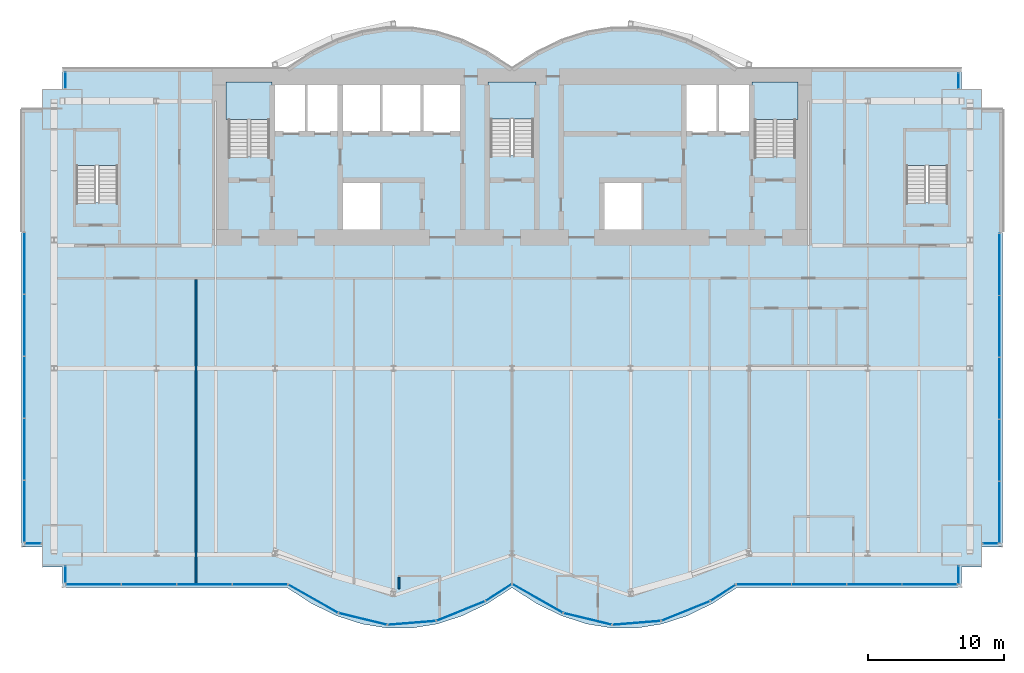
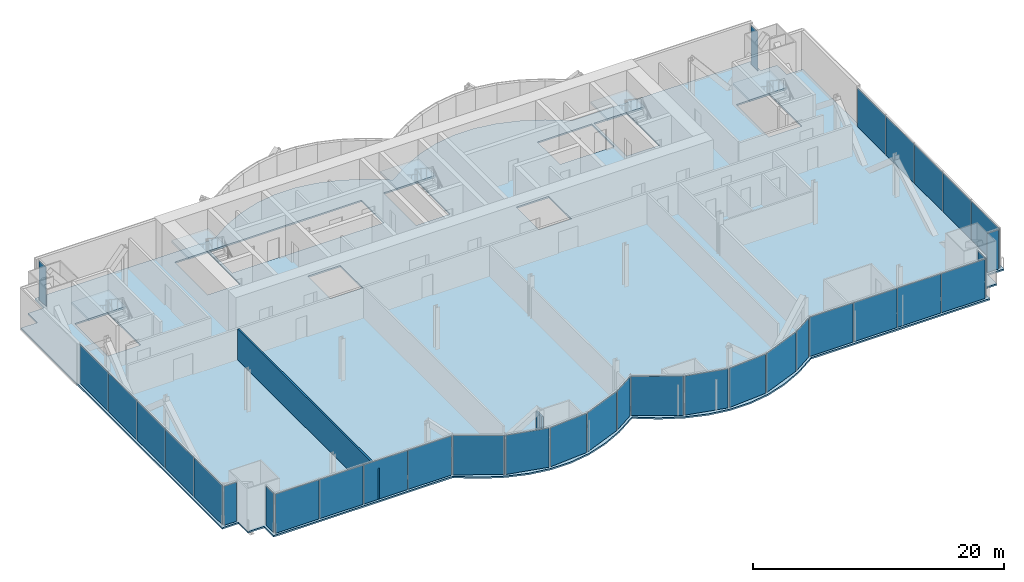
# One storey, part 14 of 21: 34 plates, 6 slabs, 2 walls, 17 elements without a shape of their own.
"""IFC4 building model written with IfcOpenShell, lengths in metres."""

from ifc_helpers import new_model, si_unit, direction, frame, frame_2d, origin, origin_2d, place, context, subcontext, project, spatial, polyline, rectangle, outline, extrude, material, layer, layer_set, type_object, element, aggregate, save


model = new_model("IFC4")

# Units and contexts
model_context = context("Model", 3, precision=1e-05, world=origin(), true_north=direction((0.0, 1.0)))
body_context = subcontext(model_context, "Body", "Model", "MODEL_VIEW")
ifc_project = project(units=[si_unit("LENGTHUNIT", "METRE"), si_unit("AREAUNIT", "SQUARE_METRE"), si_unit("VOLUMEUNIT", "CUBIC_METRE"), si_unit("PLANEANGLEUNIT", "RADIAN"), si_unit("MASSUNIT", "GRAM", prefix="KILO")], contexts=[model_context])

# Site, building, storey
site_placement = place(None, origin())
site = spatial("IfcSite", under=ifc_project, at=site_placement, CompositionType="ELEMENT")
building_placement = place(site_placement, origin())
building = spatial("IfcBuilding", under=site, at=building_placement, Name="Bicima Exchange Tower", CompositionType="ELEMENT")
storey_placement = place(building_placement, frame((0.0, 0.0, 106.300048828125)))
storey = spatial("IfcBuildingStorey", under=building, at=storey_placement, Name="L22", CompositionType="ELEMENT", Elevation=106.300048828125)

# Slab
ifc_material_1 = material(Name="Concrete C40/50", Category="concrete")
ifc_layer_1 = layer(ifc_material_1, 0.14990234375)
ifc_layer_set_1 = layer_set([ifc_layer_1], Name="Concrete C40/50")
slab_type_1 = type_object("IfcSlabType", Name="Composite floor slab 150", PredefinedType="FLOOR", material=ifc_layer_set_1)
slab_1_placement = place(storey_placement, frame((0.0, 0.0, -0.150146484375)))
element("IfcSlab", 1, at=slab_1_placement, inside=storey, type_object=slab_type_1, Name="Floor slab", PredefinedType="FLOOR", context=body_context, shape_type="SweptSolid", body=[
    extrude(outline(polyline([(-36.0, -35.095947265625), (-36.0, -3.0), (-34.5, -3.0), (-34.5, -1.5), (-33.0, -1.5), (-33.0, 0.0), (-16.5, 0.0), (-14.666748046875, 1.185302734375), (-12.833251953125, 2.07421875), (-11.0, 2.666748046875), (-9.166748046875, 2.962890625), (-7.333251953125, 2.962890625), (-5.5, 2.666748046875), (-3.666748046875, 2.07421875), (-1.833251953125, 1.185302734375), (0.0, 0.0), (1.833251953125, 1.185302734375), (3.666748046875, 2.07421875), (5.5, 2.666748046875), (7.333251953125, 2.962890625), (9.166748046875, 2.962890625), (11.0, 2.666748046875), (12.833251953125, 2.07421875), (14.666748046875, 1.185302734375), (16.5, 0.0), (33.0, 0.0), (33.0, -1.5), (34.5, -1.5), (34.5, -3.0), (36.0, -3.0), (36.0, -35.095947265625), (34.5, -35.095947265625), (34.5, -36.595947265625), (33.0, -36.595947265625), (33.0, -38.095947265625), (16.5, -38.095947265625), (14.666748046875, -39.28125), (12.833251953125, -40.170166015625), (11.0, -40.7626953125), (9.166748046875, -41.05908203125), (7.333251953125, -41.05908203125), (5.5, -40.7626953125), (3.666748046875, -40.170166015625), (1.833251953125, -39.28125), (0.0, -38.095947265625), (-1.833251953125, -39.28125), (-3.666748046875, -40.170166015625), (-5.5, -40.7626953125), (-7.333251953125, -41.05908203125), (-9.166748046875, -41.05908203125), (-11.0, -40.7626953125), (-12.833251953125, -40.170166015625), (-14.666748046875, -39.28125), (-16.5, -38.095947265625), (-33.0, -38.095947265625), (-33.0, -36.595947265625), (-34.5, -36.595947265625), (-34.5, -35.095947265625), (-36.0, -35.095947265625)]), holes=[polyline([(-9.60009765625, -11.800048828125), (-9.60009765625, -8.199951171875), (-12.60009765625, -8.199951171875), (-12.60009765625, -11.800048828125), (-9.60009765625, -11.800048828125)]), polyline([(-31.97509765625, -9.824951171875), (-28.925048828125, -9.824951171875), (-28.925048828125, -4.625), (-31.97509765625, -4.625), (-31.97509765625, -9.824951171875)]), polyline([(-20.800048828125, -6.449951171875), (-17.800048828125, -6.449951171875), (-17.800048828125, -1.199951171875), (-20.800048828125, -1.199951171875), (-20.800048828125, -6.449951171875)]), polyline([(-9.60009765625, -1.199951171875), (-12.60009765625, -1.199951171875), (-15.10009765625, -1.199951171875), (-17.60009765625, -1.199951171875), (-17.60009765625, -4.800048828125), (-15.10009765625, -4.800048828125), (-12.60009765625, -4.800048828125), (-9.60009765625, -4.800048828125), (-6.60009765625, -4.800048828125), (-3.60009765625, -4.800048828125), (-3.60009765625, -1.199951171875), (-6.60009765625, -1.199951171875), (-9.60009765625, -1.199951171875)]), polyline([(9.60009765625, -11.800048828125), (9.60009765625, -8.199951171875), (6.60009765625, -8.199951171875), (6.60009765625, -11.800048828125), (9.60009765625, -11.800048828125)]), polyline([(28.925048828125, -9.824951171875), (31.97509765625, -9.824951171875), (31.97509765625, -4.625), (28.925048828125, -4.625), (28.925048828125, -9.824951171875)]), polyline([(17.800048828125, -6.449951171875), (20.800048828125, -6.449951171875), (20.800048828125, -1.199951171875), (17.800048828125, -1.199951171875), (17.800048828125, -6.449951171875)]), polyline([(-1.574951171875, -6.39990234375), (1.574951171875, -6.39990234375), (1.574951171875, -1.199951171875), (-1.574951171875, -1.199951171875), (-1.574951171875, -6.39990234375)]), polyline([(17.60009765625, -4.800048828125), (17.60009765625, -1.199951171875), (15.10009765625, -1.199951171875), (12.60009765625, -1.199951171875), (12.60009765625, -4.800048828125), (15.10009765625, -4.800048828125), (17.60009765625, -4.800048828125)])]), origin(), (0.0, 0.0, 1.0), 0.150146484375),
])

# Curtain wall, plates
ifc_material_2 = material(Name="Anodised bronze aluminium", Category="aluminium")
curtain_wall_type_1 = type_object("IfcCurtainWallType", Name="End face glass wall", PredefinedType="NOTDEFINED", material=ifc_material_2)
curtain_wall_1_placement = place(storey_placement, origin())
curtain_wall_1 = element("IfcCurtainWall", 2, at=curtain_wall_1_placement, inside=storey, type_object=curtain_wall_type_1, Name="End face glass wall L22 run 2", PredefinedType="NOTDEFINED")
ifc_material_3 = material(Name="Bronze tinted glass", Category="glass")
ifc_layer_2 = layer(ifc_material_3, 0.031982421875)
ifc_layer_set_2 = layer_set([ifc_layer_2], Name="Bronze tinted glass")
plate_type_1 = type_object("IfcPlateType", Name="End face glass wall glass panel 32", PredefinedType="CURTAIN_PANEL", material=ifc_layer_set_2)
plate_1_placement = place(storey_placement, frame((-35.77001953125, -27.938232421875, 0.0), z_axis=(0.0, 0.0, 1.0), x_axis=(0.0, -1.0, 0.0)))
plate_1 = element("IfcPlate", 3, at=plate_1_placement, type_object=plate_type_1, Name="End face glass wall panel 4.1", PredefinedType="CURTAIN_PANEL", context=body_context, shape_type="SweptSolid", body=[
    extrude(rectangle(XDim=4.485107421875, YDim=0.031982421875, at=origin_2d()), origin(), (0.0, 0.0, 1.0), 3.81005859375),
])
plate_2_placement = place(storey_placement, frame((-35.77001953125, -32.4833984375, 0.0), z_axis=(0.0, 0.0, 1.0), x_axis=(0.0, -1.0, 0.0)))
plate_2 = element("IfcPlate", 4, at=plate_2_placement, type_object=plate_type_1, Name="End face glass wall panel 5.1", PredefinedType="CURTAIN_PANEL", context=body_context, shape_type="SweptSolid", body=[
    extrude(rectangle(XDim=4.485107421875, YDim=0.031982421875, at=origin_2d()), origin(), (0.0, 0.0, 1.0), 3.81005859375),
])

curtain_wall_2_placement = place(storey_placement, origin())
curtain_wall_2 = element("IfcCurtainWall", 5, at=curtain_wall_2_placement, inside=storey, type_object=curtain_wall_type_1, Name="End face glass wall L22 run 19", PredefinedType="NOTDEFINED")
plate_3_placement = place(storey_placement, frame((35.77001953125, -32.5634765625, 0.0), z_axis=(0.0, 0.0, 1.0), x_axis=(0.0, 1.0, 0.0)))
plate_3 = element("IfcPlate", 6, at=plate_3_placement, type_object=plate_type_1, Name="End face glass wall panel 1.1", PredefinedType="CURTAIN_PANEL", context=body_context, shape_type="SweptSolid", body=[
    extrude(rectangle(XDim=4.485107421875, YDim=0.031982421875, at=origin_2d()), origin(), (0.0, 0.0, 1.0), 3.81005859375),
])
plate_4_placement = place(storey_placement, frame((35.77001953125, -28.018310546875, 0.0), z_axis=(0.0, 0.0, 1.0), x_axis=(0.0, 1.0, 0.0)))
plate_4 = element("IfcPlate", 7, at=plate_4_placement, type_object=plate_type_1, Name="End face glass wall panel 2.1", PredefinedType="CURTAIN_PANEL", context=body_context, shape_type="SweptSolid", body=[
    extrude(rectangle(XDim=4.485107421875, YDim=0.031982421875, at=origin_2d()), origin(), (0.0, 0.0, 1.0), 3.81005859375),
])

# Plate
ifc_material_4 = material(Name="Bronze anodised aluminium", Category="aluminium")
ifc_layer_3 = layer(ifc_material_4, 0.031982421875)
ifc_layer_set_3 = layer_set([ifc_layer_3], Name="Bronze anodised aluminium")
plate_type_2 = type_object("IfcPlateType", Name="End face glass wall spandrel panel 32", PredefinedType="CURTAIN_PANEL", material=ifc_layer_set_3)
plate_5_placement = place(storey_placement, frame((-35.77001953125, -14.302490234375, 0.0), z_axis=(0.0, 0.0, 1.0), x_axis=(0.0, -1.0, 0.0)))
plate_5 = element("IfcPlate", 8, at=plate_5_placement, type_object=plate_type_2, Name="End face spandrel wall panel 1.1", PredefinedType="CURTAIN_PANEL", context=body_context, shape_type="SweptSolid", body=[
    extrude(rectangle(XDim=4.485107421875, YDim=0.031982421875, at=origin_2d()), origin(), (0.0, 0.0, 1.0), 3.81005859375),
])

plate_6_placement = place(storey_placement, frame((-35.77001953125, -18.847900390625, 0.0), z_axis=(0.0, 0.0, 1.0), x_axis=(0.0, -1.0, 0.0)))
plate_6 = element("IfcPlate", 9, at=plate_6_placement, type_object=plate_type_2, Name="End face spandrel wall panel 2.1", PredefinedType="CURTAIN_PANEL", context=body_context, shape_type="SweptSolid", body=[
    extrude(rectangle(XDim=4.485107421875, YDim=0.031982421875, at=origin_2d()), origin(), (0.0, 0.0, 1.0), 3.81005859375),
])

plate_7_placement = place(storey_placement, frame((-35.77001953125, -23.39306640625, 0.0), z_axis=(0.0, 0.0, 1.0), x_axis=(0.0, -1.0, 0.0)))
plate_7 = element("IfcPlate", 10, at=plate_7_placement, type_object=plate_type_2, Name="End face spandrel wall panel 3.1", PredefinedType="CURTAIN_PANEL", context=body_context, shape_type="SweptSolid", body=[
    extrude(rectangle(XDim=4.485107421875, YDim=0.031982421875, at=origin_2d()), origin(), (0.0, 0.0, 1.0), 3.81005859375),
])

aggregate(curtain_wall_1, [plate_5, plate_6, plate_7, plate_1, plate_2])

plate_8_placement = place(storey_placement, frame((35.77001953125, -23.472900390625, 0.0), z_axis=(0.0, 0.0, 1.0), x_axis=(0.0, 1.0, 0.0)))
plate_8 = element("IfcPlate", 11, at=plate_8_placement, type_object=plate_type_2, Name="End face spandrel wall panel 3.1", PredefinedType="CURTAIN_PANEL", context=body_context, shape_type="SweptSolid", body=[
    extrude(rectangle(XDim=4.485107421875, YDim=0.031982421875, at=origin_2d()), origin(), (0.0, 0.0, 1.0), 3.81005859375),
])

plate_9_placement = place(storey_placement, frame((35.77001953125, -18.927734375, 0.0), z_axis=(0.0, 0.0, 1.0), x_axis=(0.0, 1.0, 0.0)))
plate_9 = element("IfcPlate", 12, at=plate_9_placement, type_object=plate_type_2, Name="End face spandrel wall panel 4.1", PredefinedType="CURTAIN_PANEL", context=body_context, shape_type="SweptSolid", body=[
    extrude(rectangle(XDim=4.485107421875, YDim=0.031982421875, at=origin_2d()), origin(), (0.0, 0.0, 1.0), 3.81005859375),
])

plate_10_placement = place(storey_placement, frame((35.77001953125, -14.382568359375, 0.0), z_axis=(0.0, 0.0, 1.0), x_axis=(0.0, 1.0, 0.0)))
plate_10 = element("IfcPlate", 13, at=plate_10_placement, type_object=plate_type_2, Name="End face spandrel wall panel 5.1", PredefinedType="CURTAIN_PANEL", context=body_context, shape_type="SweptSolid", body=[
    extrude(rectangle(XDim=4.485107421875, YDim=0.031982421875, at=origin_2d()), origin(), (0.0, 0.0, 1.0), 3.81005859375),
])

aggregate(curtain_wall_2, [plate_3, plate_4, plate_8, plate_9, plate_10])

# Curtain wall, plate
curtain_wall_type_2 = type_object("IfcCurtainWallType", Name="Front glass wall", PredefinedType="NOTDEFINED", material=ifc_material_2)
curtain_wall_3_placement = place(storey_placement, origin())
curtain_wall_3 = element("IfcCurtainWall", 14, at=curtain_wall_3_placement, inside=storey, type_object=curtain_wall_type_2, Name="Front glass wall L22 run 1", PredefinedType="NOTDEFINED")
ifc_layer_4 = layer(ifc_material_3, 0.031982421875)
ifc_layer_set_4 = layer_set([ifc_layer_4], Name="Bronze tinted glass")
plate_type_3 = type_object("IfcPlateType", Name="Front glass wall glass panel 32", PredefinedType="CURTAIN_PANEL", material=ifc_layer_set_4)
plate_11_placement = place(storey_placement, frame((-32.77001953125, -0.864990234375, 0.0), z_axis=(0.0, 0.0, 1.0), x_axis=(0.0, -1.0, 0.0)))
plate_11 = element("IfcPlate", 15, at=plate_11_placement, type_object=plate_type_3, Name="Front glass wall panel 1.1", PredefinedType="CURTAIN_PANEL", context=body_context, shape_type="SweptSolid", body=[
    extrude(rectangle(XDim=1.14990234375, YDim=0.031982421875, at=origin_2d()), origin(), (0.0, 0.0, 1.0), 3.81005859375),
])
aggregate(curtain_wall_3, [plate_11])

curtain_wall_4_placement = place(storey_placement, origin())
curtain_wall_4 = element("IfcCurtainWall", 16, at=curtain_wall_4_placement, inside=storey, type_object=curtain_wall_type_2, Name="Front glass wall L22 run 3", PredefinedType="NOTDEFINED")
plate_12_placement = place(storey_placement, frame((-35.135009765625, -34.865966796875, 0.0), z_axis=(0.0, 0.0, 1.0), x_axis=(1.0, 0.0, 0.0)))
plate_12 = element("IfcPlate", 17, at=plate_12_placement, type_object=plate_type_3, Name="Front glass wall panel 1.1", PredefinedType="CURTAIN_PANEL", context=body_context, shape_type="SweptSolid", body=[
    extrude(rectangle(XDim=1.14990234375, YDim=0.031982421875, at=origin_2d()), origin(), (0.0, 0.0, 1.0), 3.81005859375),
])
aggregate(curtain_wall_4, [plate_12])

curtain_wall_5_placement = place(storey_placement, origin())
curtain_wall_5 = element("IfcCurtainWall", 18, at=curtain_wall_5_placement, inside=storey, type_object=curtain_wall_type_2, Name="Front glass wall L22 run 4", PredefinedType="NOTDEFINED")
plate_13_placement = place(storey_placement, frame((-32.77001953125, -37.1298828125, 0.0), z_axis=(0.0, 0.0, 1.0), x_axis=(0.0, -1.0, 0.0)))
plate_13 = element("IfcPlate", 19, at=plate_13_placement, type_object=plate_type_3, Name="Front glass wall panel 1.1", PredefinedType="CURTAIN_PANEL", context=body_context, shape_type="SweptSolid", body=[
    extrude(rectangle(XDim=1.19189453125, YDim=0.031982421875, at=origin_2d()), origin(), (0.0, 0.0, 1.0), 3.81005859375),
])
aggregate(curtain_wall_5, [plate_13])

# Curtain wall, plates
curtain_wall_6_placement = place(storey_placement, origin())
curtain_wall_6 = element("IfcCurtainWall", 20, at=curtain_wall_6_placement, inside=storey, type_object=curtain_wall_type_2, Name="Front glass wall L22 run 5", PredefinedType="NOTDEFINED")
plate_14_placement = place(storey_placement, frame((-30.705322265625, -37.865966796875, 0.0), z_axis=(0.0, 0.0, 1.0), x_axis=(1.0, 0.0, 0.0)))
plate_14 = element("IfcPlate", 21, at=plate_14_placement, type_object=plate_type_3, Name="Front glass wall panel 1.1", PredefinedType="CURTAIN_PANEL", context=body_context, shape_type="SweptSolid", body=[
    extrude(rectangle(XDim=4.009521484375, YDim=0.031982421875, at=origin_2d()), origin(), (0.0, 0.0, 1.0), 3.81005859375),
])
plate_15_placement = place(storey_placement, frame((-26.6357421875, -37.865966796875, 0.0), z_axis=(0.0, 0.0, 1.0), x_axis=(1.0, 0.0, 0.0)))
plate_15 = element("IfcPlate", 22, at=plate_15_placement, type_object=plate_type_3, Name="Front glass wall panel 2.1", PredefinedType="CURTAIN_PANEL", context=body_context, shape_type="SweptSolid", body=[
    extrude(rectangle(XDim=4.009521484375, YDim=0.031982421875, at=origin_2d()), origin(), (0.0, 0.0, 1.0), 3.81005859375),
])

curtain_wall_7_placement = place(storey_placement, origin())
curtain_wall_7 = element("IfcCurtainWall", 23, at=curtain_wall_7_placement, inside=storey, type_object=curtain_wall_type_2, Name="Front glass wall L22 run 6", PredefinedType="NOTDEFINED")
plate_16_placement = place(storey_placement, frame((-7.35107421875, -40.68359375, 0.0), z_axis=(0.0, 0.0, 1.0), x_axis=(0.99674744821, 0.080588612633, 0.0)))
plate_16 = element("IfcPlate", 24, at=plate_16_placement, type_object=plate_type_3, Name="Front glass wall panel 1.1", PredefinedType="CURTAIN_PANEL", context=body_context, shape_type="SweptSolid", body=[
    extrude(rectangle(XDim=3.486083984375, YDim=0.031982421875, at=origin_2d()), origin(), (0.0, 0.0, 1.0), 3.81005859375),
])
plate_17_placement = place(storey_placement, frame((-3.750244140625, -39.809326171875, 0.0), z_axis=(0.0, 0.0, 1.0), x_axis=(0.92714396679, 0.374705304, 0.0)))
plate_17 = element("IfcPlate", 25, at=plate_17_placement, type_object=plate_type_3, Name="Front glass wall panel 1.1", PredefinedType="CURTAIN_PANEL", context=body_context, shape_type="SweptSolid", body=[
    extrude(rectangle(XDim=3.771240234375, YDim=0.031982421875, at=origin_2d()), origin(), (0.0, 0.0, 1.0), 3.81005859375),
])
plate_18_placement = place(storey_placement, frame((-0.97314453125, -38.451171875, 0.0), z_axis=(0.0, 0.0, 1.0), x_axis=(0.839798994301, 0.542897457326, 0.0)))
plate_18 = element("IfcPlate", 26, at=plate_18_placement, type_object=plate_type_3, Name="Front glass wall panel 1.1", PredefinedType="CURTAIN_PANEL", context=body_context, shape_type="SweptSolid", body=[
    extrude(rectangle(XDim=2.197509765625, YDim=0.031982421875, at=origin_2d()), origin(), (0.0, 0.0, 1.0), 3.81005859375),
])

curtain_wall_8_placement = place(storey_placement, origin())
curtain_wall_8 = element("IfcCurtainWall", 27, at=curtain_wall_8_placement, inside=storey, type_object=curtain_wall_type_2, Name="Front glass wall L22 run 11", PredefinedType="NOTDEFINED")
plate_19_placement = place(storey_placement, frame((1.876220703125, -38.88916015625, 0.0), z_axis=(0.0, 0.0, 1.0), x_axis=(0.869274147378, -0.494330311331, 0.0)))
plate_19 = element("IfcPlate", 28, at=plate_19_placement, type_object=plate_type_3, Name="Front glass wall panel 1.1", PredefinedType="CURTAIN_PANEL", context=body_context, shape_type="SweptSolid", body=[
    extrude(rectangle(XDim=4.197021484375, YDim=0.031982421875, at=origin_2d()), origin(), (0.0, 0.0, 1.0), 3.81005859375),
])
plate_20_placement = place(storey_placement, frame((5.55224609375, -40.392578125, 0.0), z_axis=(0.0, 0.0, 1.0), x_axis=(0.971830343553, -0.235681529503, 0.0)))
plate_20 = element("IfcPlate", 29, at=plate_20_placement, type_object=plate_type_3, Name="Front glass wall panel 1.1", PredefinedType="CURTAIN_PANEL", context=body_context, shape_type="SweptSolid", body=[
    extrude(rectangle(XDim=3.583251953125, YDim=0.031982421875, at=origin_2d()), origin(), (0.0, 0.0, 1.0), 3.81005859375),
])
plate_21_placement = place(storey_placement, frame((9.14892578125, -40.68359375, 0.0), z_axis=(0.0, 0.0, 1.0), x_axis=(0.99674744821, 0.080588612633, 0.0)))
plate_21 = element("IfcPlate", 30, at=plate_21_placement, type_object=plate_type_3, Name="Front glass wall panel 1.1", PredefinedType="CURTAIN_PANEL", context=body_context, shape_type="SweptSolid", body=[
    extrude(rectangle(XDim=3.486083984375, YDim=0.031982421875, at=origin_2d()), origin(), (0.0, 0.0, 1.0), 3.81005859375),
])
plate_22_placement = place(storey_placement, frame((15.492919921875, -38.47314453125, 0.0), z_axis=(0.0, 0.0, 1.0), x_axis=(0.839791413941, 0.542909183079, 0.0)))
plate_22 = element("IfcPlate", 31, at=plate_22_placement, type_object=plate_type_3, Name="Front glass wall panel 1.1", PredefinedType="CURTAIN_PANEL", context=body_context, shape_type="SweptSolid", body=[
    extrude(rectangle(XDim=2.11669921875, YDim=0.031982421875, at=origin_2d()), origin(), (0.0, 0.0, 1.0), 3.81005859375),
])

curtain_wall_9_placement = place(storey_placement, origin())
curtain_wall_9 = element("IfcCurtainWall", 32, at=curtain_wall_9_placement, inside=storey, type_object=curtain_wall_type_2, Name="Front glass wall L22 run 16", PredefinedType="NOTDEFINED")
plate_23_placement = place(storey_placement, frame((26.585693359375, -37.865966796875, 0.0), z_axis=(0.0, 0.0, 1.0), x_axis=(1.0, 0.0, 0.0)))
plate_23 = element("IfcPlate", 33, at=plate_23_placement, type_object=plate_type_3, Name="Front glass wall panel 3.1", PredefinedType="CURTAIN_PANEL", context=body_context, shape_type="SweptSolid", body=[
    extrude(rectangle(XDim=3.989501953125, YDim=0.031982421875, at=origin_2d()), origin(), (0.0, 0.0, 1.0), 3.81005859375),
])
plate_24_placement = place(storey_placement, frame((30.63525390625, -37.865966796875, 0.0), z_axis=(0.0, 0.0, 1.0), x_axis=(1.0, 0.0, 0.0)))
plate_24 = element("IfcPlate", 34, at=plate_24_placement, type_object=plate_type_3, Name="Front glass wall panel 4.1", PredefinedType="CURTAIN_PANEL", context=body_context, shape_type="SweptSolid", body=[
    extrude(rectangle(XDim=3.989501953125, YDim=0.031982421875, at=origin_2d()), origin(), (0.0, 0.0, 1.0), 3.81005859375),
])

# Curtain wall, plate
curtain_wall_10_placement = place(storey_placement, origin())
curtain_wall_10 = element("IfcCurtainWall", 35, at=curtain_wall_10_placement, inside=storey, type_object=curtain_wall_type_2, Name="Front glass wall L22 run 17", PredefinedType="NOTDEFINED")
plate_25_placement = place(storey_placement, frame((32.77001953125, -37.169921875, 0.0), z_axis=(0.0, 0.0, 1.0), x_axis=(0.0, 1.0, 0.0)))
plate_25 = element("IfcPlate", 36, at=plate_25_placement, type_object=plate_type_3, Name="Front glass wall panel 1.1", PredefinedType="CURTAIN_PANEL", context=body_context, shape_type="SweptSolid", body=[
    extrude(rectangle(XDim=1.27197265625, YDim=0.031982421875, at=origin_2d()), origin(), (0.0, 0.0, 1.0), 3.81005859375),
])
aggregate(curtain_wall_10, [plate_25])

curtain_wall_11_placement = place(storey_placement, origin())
curtain_wall_11 = element("IfcCurtainWall", 37, at=curtain_wall_11_placement, inside=storey, type_object=curtain_wall_type_2, Name="Front glass wall L22 run 18", PredefinedType="NOTDEFINED")
plate_26_placement = place(storey_placement, frame((35.094970703125, -34.865966796875, 0.0), z_axis=(0.0, 0.0, 1.0), x_axis=(1.0, 0.0, 0.0)))
plate_26 = element("IfcPlate", 38, at=plate_26_placement, type_object=plate_type_3, Name="Front glass wall panel 1.1", PredefinedType="CURTAIN_PANEL", context=body_context, shape_type="SweptSolid", body=[
    extrude(rectangle(XDim=1.070068359375, YDim=0.031982421875, at=origin_2d()), origin(), (0.0, 0.0, 1.0), 3.81005859375),
])
aggregate(curtain_wall_11, [plate_26])

curtain_wall_12_placement = place(storey_placement, origin())
curtain_wall_12 = element("IfcCurtainWall", 39, at=curtain_wall_12_placement, inside=storey, type_object=curtain_wall_type_2, Name="Front glass wall L22 run 20", PredefinedType="NOTDEFINED")
plate_27_placement = place(storey_placement, frame((32.77001953125, -0.905029296875, 0.0), z_axis=(0.0, 0.0, 1.0), x_axis=(0.0, 1.0, 0.0)))
plate_27 = element("IfcPlate", 40, at=plate_27_placement, type_object=plate_type_3, Name="Front glass wall panel 1.1", PredefinedType="CURTAIN_PANEL", context=body_context, shape_type="SweptSolid", body=[
    extrude(rectangle(XDim=1.070068359375, YDim=0.031982421875, at=origin_2d()), origin(), (0.0, 0.0, 1.0), 3.81005859375),
])
aggregate(curtain_wall_12, [plate_27])

# Plate
ifc_layer_5 = layer(ifc_material_4, 0.031982421875)
ifc_layer_set_5 = layer_set([ifc_layer_5], Name="Bronze anodised aluminium")
plate_type_4 = type_object("IfcPlateType", Name="Front glass wall spandrel panel 32", PredefinedType="CURTAIN_PANEL", material=ifc_layer_set_5)
plate_28_placement = place(storey_placement, frame((-22.56640625, -37.865966796875, 0.0), z_axis=(0.0, 0.0, 1.0), x_axis=(1.0, 0.0, 0.0)))
plate_28 = element("IfcPlate", 41, at=plate_28_placement, type_object=plate_type_4, Name="Front spandrel wall panel 3.1", PredefinedType="CURTAIN_PANEL", context=body_context, shape_type="SweptSolid", body=[
    extrude(rectangle(XDim=4.009521484375, YDim=0.031982421875, at=origin_2d()), origin(), (0.0, 0.0, 1.0), 3.81005859375),
])

plate_29_placement = place(storey_placement, frame((-18.496826171875, -37.865966796875, 0.0), z_axis=(0.0, 0.0, 1.0), x_axis=(1.0, 0.0, 0.0)))
plate_29 = element("IfcPlate", 42, at=plate_29_placement, type_object=plate_type_4, Name="Front spandrel wall panel 4.1", PredefinedType="CURTAIN_PANEL", context=body_context, shape_type="SweptSolid", body=[
    extrude(rectangle(XDim=4.009521484375, YDim=0.031982421875, at=origin_2d()), origin(), (0.0, 0.0, 1.0), 3.81005859375),
])

aggregate(curtain_wall_6, [plate_14, plate_15, plate_28, plate_29])

plate_30_placement = place(storey_placement, frame((-14.589599609375, -38.9111328125, 0.0), z_axis=(0.0, 0.0, 1.0), x_axis=(0.869805110681, -0.493395449343, 0.0)))
plate_30 = element("IfcPlate", 43, at=plate_30_placement, type_object=plate_type_4, Name="Front spandrel wall panel 1.1", PredefinedType="CURTAIN_PANEL", context=body_context, shape_type="SweptSolid", body=[
    extrude(rectangle(XDim=4.1162109375, YDim=0.031982421875, at=origin_2d()), origin(), (0.0, 0.0, 1.0), 3.81005859375),
])

plate_31_placement = place(storey_placement, frame((-10.94775390625, -40.392578125, 0.0), z_axis=(0.0, 0.0, 1.0), x_axis=(0.971830343553, -0.235681529503, 0.0)))
plate_31 = element("IfcPlate", 44, at=plate_31_placement, type_object=plate_type_4, Name="Front spandrel wall panel 1.1", PredefinedType="CURTAIN_PANEL", context=body_context, shape_type="SweptSolid", body=[
    extrude(rectangle(XDim=3.583251953125, YDim=0.031982421875, at=origin_2d()), origin(), (0.0, 0.0, 1.0), 3.81005859375),
])

aggregate(curtain_wall_7, [plate_30, plate_31, plate_16, plate_17, plate_18])

plate_32_placement = place(storey_placement, frame((12.749755859375, -39.809326171875, 0.0), z_axis=(0.0, 0.0, 1.0), x_axis=(0.92714396679, 0.374705304, 0.0)))
plate_32 = element("IfcPlate", 45, at=plate_32_placement, type_object=plate_type_4, Name="Front spandrel wall panel 1.1", PredefinedType="CURTAIN_PANEL", context=body_context, shape_type="SweptSolid", body=[
    extrude(rectangle(XDim=3.771240234375, YDim=0.031982421875, at=origin_2d()), origin(), (0.0, 0.0, 1.0), 3.81005859375),
])

aggregate(curtain_wall_8, [plate_19, plate_20, plate_21, plate_32, plate_22])

plate_33_placement = place(storey_placement, frame((18.48681640625, -37.865966796875, 0.0), z_axis=(0.0, 0.0, 1.0), x_axis=(1.0, 0.0, 0.0)))
plate_33 = element("IfcPlate", 46, at=plate_33_placement, type_object=plate_type_4, Name="Front spandrel wall panel 1.1", PredefinedType="CURTAIN_PANEL", context=body_context, shape_type="SweptSolid", body=[
    extrude(rectangle(XDim=3.989501953125, YDim=0.031982421875, at=origin_2d()), origin(), (0.0, 0.0, 1.0), 3.81005859375),
])

plate_34_placement = place(storey_placement, frame((22.536376953125, -37.865966796875, 0.0), z_axis=(0.0, 0.0, 1.0), x_axis=(1.0, 0.0, 0.0)))
plate_34 = element("IfcPlate", 47, at=plate_34_placement, type_object=plate_type_4, Name="Front spandrel wall panel 2.1", PredefinedType="CURTAIN_PANEL", context=body_context, shape_type="SweptSolid", body=[
    extrude(rectangle(XDim=3.989501953125, YDim=0.031982421875, at=origin_2d()), origin(), (0.0, 0.0, 1.0), 3.81005859375),
])

aggregate(curtain_wall_9, [plate_33, plate_34, plate_23, plate_24])

# Stair, slab
ifc_material_5 = material(Name="Concrete C50/60", Category="concrete")
stair_type_1 = type_object("IfcStairType", Name="Exit stair", PredefinedType="HALF_TURN_STAIR", material=ifc_material_5)
stair_1_placement = place(storey_placement, origin())
stair_1 = element("IfcStair", 48, at=stair_1_placement, inside=storey, type_object=stair_type_1, Name="L22 West exit stair", PredefinedType="HALF_TURN_STAIR")
ifc_layer_6 = layer(ifc_material_5, 0.199951171875)
ifc_layer_set_6 = layer_set([ifc_layer_6], Name="Concrete C50/60")
slab_type_2 = type_object("IfcSlabType", Name="Stair landing slab", PredefinedType="LANDING", material=ifc_layer_set_6)
slab_2_placement = place(storey_placement, frame((0.0, 0.0, 1.849853515625)))
slab_2 = element("IfcSlab", 49, at=slab_2_placement, type_object=slab_type_2, Name="ST-W landing 1", PredefinedType="LANDING", context=body_context, shape_type="SweptSolid", body=[
    extrude(outline(polyline([(-17.60009765625, -3.75), (-17.60009765625, -1.0), (-21.0, -1.0), (-21.0, -3.75), (-17.60009765625, -3.75)])), origin(), (0.0, 0.0, 1.0), 0.2001953125),
])
aggregate(stair_1, [slab_2])

stair_type_2 = type_object("IfcStairType", Name="Exit stair 1500", PredefinedType="HALF_TURN_STAIR", material=ifc_material_5)
stair_2_placement = place(storey_placement, origin())
stair_2 = element("IfcStair", 50, at=stair_2_placement, inside=storey, type_object=stair_type_2, Name="L22 Central exit stair", PredefinedType="HALF_TURN_STAIR")
slab_3_placement = place(storey_placement, frame((0.0, 0.0, 1.849853515625)))
slab_3 = element("IfcSlab", 51, at=slab_3_placement, type_object=slab_type_2, Name="ST-C landing 1", PredefinedType="LANDING", context=body_context, shape_type="SweptSolid", body=[
    extrude(outline(polyline([(1.77490234375, -3.699951171875), (1.77490234375, -1.0), (-1.77490234375, -1.0), (-1.77490234375, -3.699951171875), (1.77490234375, -3.699951171875)])), origin(), (0.0, 0.0, 1.0), 0.2001953125),
])
aggregate(stair_2, [slab_3])

stair_3_placement = place(storey_placement, origin())
stair_3 = element("IfcStair", 52, at=stair_3_placement, inside=storey, type_object=stair_type_1, Name="L22 East exit stair", PredefinedType="HALF_TURN_STAIR")
slab_4_placement = place(storey_placement, frame((0.0, 0.0, 1.849853515625)))
slab_4 = element("IfcSlab", 53, at=slab_4_placement, type_object=slab_type_2, Name="ST-E landing 1", PredefinedType="LANDING", context=body_context, shape_type="SweptSolid", body=[
    extrude(outline(polyline([(21.0, -3.75), (21.0, -1.0), (17.60009765625, -1.0), (17.60009765625, -3.75), (21.0, -3.75)])), origin(), (0.0, 0.0, 1.0), 0.2001953125),
])
aggregate(stair_3, [slab_4])

stair_4_placement = place(storey_placement, origin())
stair_4 = element("IfcStair", 54, at=stair_4_placement, inside=storey, type_object=stair_type_1, Name="L22 West end exit stair", PredefinedType="HALF_TURN_STAIR")
slab_5_placement = place(storey_placement, frame((0.0, 0.0, 1.849853515625)))
slab_5 = element("IfcSlab", 55, at=slab_5_placement, type_object=slab_type_2, Name="ST-WW landing 1", PredefinedType="LANDING", context=body_context, shape_type="SweptSolid", body=[
    extrude(outline(polyline([(-28.72509765625, -7.125), (-28.72509765625, -4.425048828125), (-32.175048828125, -4.425048828125), (-32.175048828125, -7.125), (-28.72509765625, -7.125)])), origin(), (0.0, 0.0, 1.0), 0.2001953125),
])
aggregate(stair_4, [slab_5])

stair_5_placement = place(storey_placement, origin())
stair_5 = element("IfcStair", 56, at=stair_5_placement, inside=storey, type_object=stair_type_1, Name="L22 East end exit stair", PredefinedType="HALF_TURN_STAIR")
slab_6_placement = place(storey_placement, frame((0.0, 0.0, 1.849853515625)))
slab_6 = element("IfcSlab", 57, at=slab_6_placement, type_object=slab_type_2, Name="ST-EE landing 1", PredefinedType="LANDING", context=body_context, shape_type="SweptSolid", body=[
    extrude(outline(polyline([(32.175048828125, -7.125), (32.175048828125, -4.425048828125), (28.72509765625, -4.425048828125), (28.72509765625, -7.125), (32.175048828125, -7.125)])), origin(), (0.0, 0.0, 1.0), 0.2001953125),
])
aggregate(stair_5, [slab_6])

# Walls
ifc_material_6 = material(Name="Gypsum board partition")
ifc_layer_7 = layer(ifc_material_6, 0.14990234375)
ifc_layer_set_7 = layer_set([ifc_layer_7], Name="Gypsum board partition")
wall_type = type_object("IfcWallType", Name="Gypsum partition 150", PredefinedType="PARTITIONING", material=ifc_layer_set_7)
wall_1_placement = place(storey_placement, frame((-23.199951171875, -37.889892578125, 0.0), z_axis=(0.0, 0.0, 1.0), x_axis=(0.0, 1.0, 0.0)))
element("IfcWall", 58, at=wall_1_placement, inside=storey, type_object=wall_type, Name="partition wall 18", PredefinedType="PARTITIONING", context=body_context, shape_type="SweptSolid", body=[
    extrude(rectangle(XDim=22.389892578125, YDim=0.14990234375, at=frame_2d((11.19482421875, 0.0))), origin(), (0.0, 0.0, 1.0), 3.01806640625),
])
wall_2_placement = place(storey_placement, frame((-8.300048828125, -38.2099609375, 0.0), z_axis=(0.0, 0.0, 1.0), x_axis=(0.0, 1.0, 0.0)))
element("IfcWall", 59, at=wall_2_placement, inside=storey, type_object=wall_type, Name="partition wall 20", PredefinedType="PARTITIONING", context=body_context, shape_type="SweptSolid", body=[
    extrude(rectangle(XDim=0.885009765625, YDim=0.14990234375, at=frame_2d((0.4423828125, 0.0))), origin(), (0.0, 0.0, 1.0), 3.01806640625),
])

save(model, "model.ifc")
